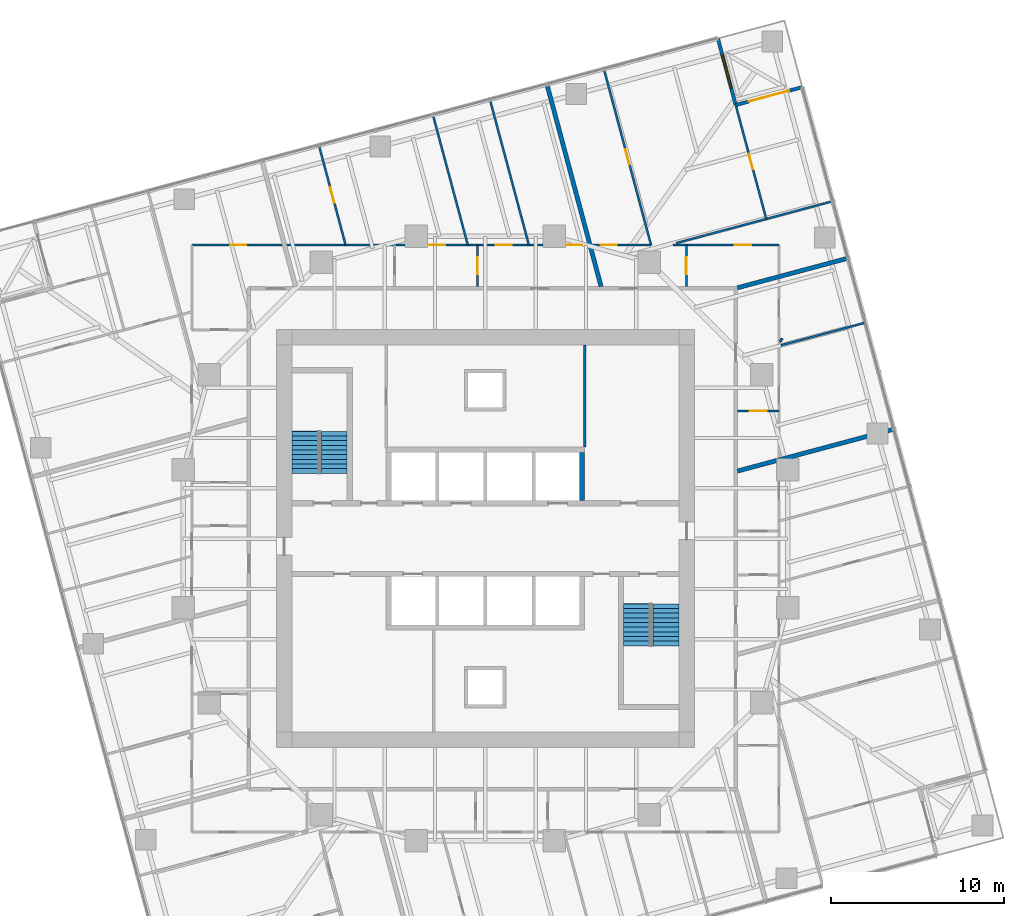
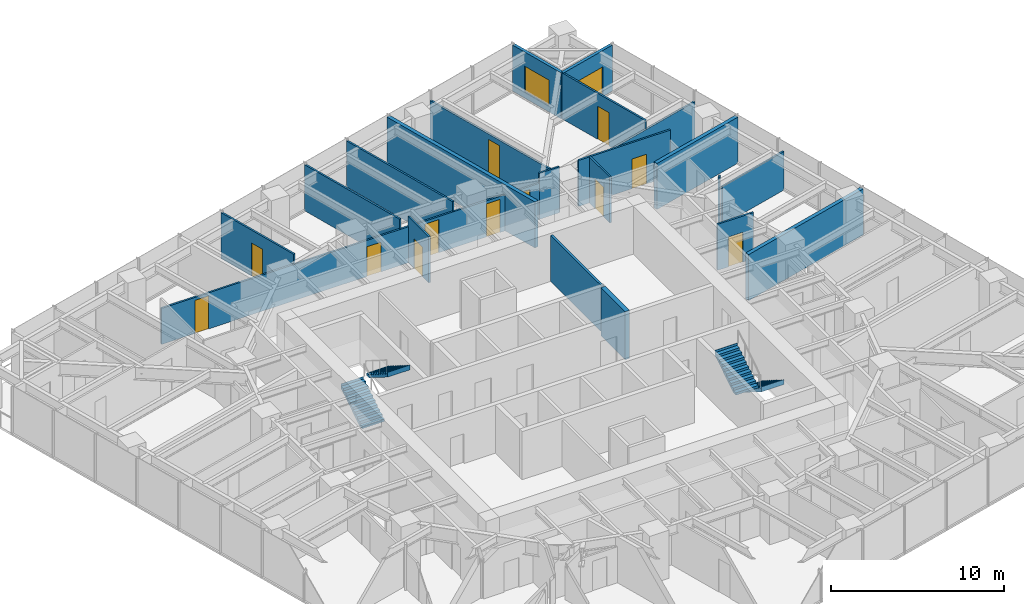
# One storey, part 12 of 13: 21 walls, 13 doors, 4 stair flights, 1 window, 14 openings, 2 elements without a shape of their own.
"""IFC4 building model written with IfcOpenShell, lengths in metres."""

from ifc_helpers import new_model, si_unit, direction, frame, frame_2d, origin, place, context, subcontext, project, spatial, polyline, rectangle, outline, extrude, material, layer, layer_set, type_object, element, fill, aggregate, save


model = new_model("IFC4")

# Units and contexts
model_context = context("Model", 3, precision=1e-05, world=origin(), true_north=direction((0.0, 1.0)))
body_context = subcontext(model_context, "Body", "Model", "MODEL_VIEW")
ifc_project = project(units=[si_unit("LENGTHUNIT", "METRE"), si_unit("AREAUNIT", "SQUARE_METRE"), si_unit("VOLUMEUNIT", "CUBIC_METRE"), si_unit("PLANEANGLEUNIT", "RADIAN"), si_unit("MASSUNIT", "GRAM", prefix="KILO")], contexts=[model_context])

# Site, building, storey
site_placement = place(None, origin())
site = spatial("IfcSite", under=ifc_project, at=site_placement, CompositionType="ELEMENT")
building_placement = place(site_placement, origin())
building = spatial("IfcBuilding", under=site, at=building_placement, Name="Torsade Residences", CompositionType="ELEMENT")
storey_placement = place(building_placement, frame((0.0, 0.0, 118.39990234375)))
storey = spatial("IfcBuildingStorey", under=building, at=storey_placement, Name="L32", CompositionType="ELEMENT", Elevation=118.39990234375)

# Wall
ifc_material_1 = material(Name="Concrete 80 MPa", Category="concrete")
ifc_layer_1 = layer(ifc_material_1, 0.300048828125)
ifc_layer_set_1 = layer_set([ifc_layer_1], Name="Concrete 80 MPa")
wall_type_1 = type_object("IfcWallType", Name="CORE INTERNAL WALL 300", PredefinedType="SHEAR", material=ifc_layer_set_1)
wall_1_placement = place(storey_placement, frame((45.60009765625, 32.199951171875, 0.0), z_axis=(0.0, 0.0, 1.0), x_axis=(0.0, 1.0, 0.0)))
element("IfcWall", 1, at=wall_1_placement, inside=storey, type_object=wall_type_1, Name="Core wall DN4 L32", PredefinedType="SHEAR", context=body_context, shape_type="SweptSolid", body=[
    extrude(rectangle(XDim=2.800048828125, YDim=0.300048828125, at=frame_2d((1.39990234375, 0.0))), origin(), (0.0, 0.0, 1.0), 3.400146484375),
])

# Wall, opening, door
ifc_material_2 = material(Name="Plasterboard on steel stud", Category="steel")
ifc_layer_2 = layer(ifc_material_2, 0.1201171875)
ifc_layer_set_2 = layer_set([ifc_layer_2], Name="Plasterboard on steel stud")
wall_type_2 = type_object("IfcWallType", Name="PARTITION 120", PredefinedType="PARTITIONING", material=ifc_layer_set_2)
wall_2_placement = place(storey_placement, frame((57.0, 37.389892578125, 0.0), z_axis=(0.0, 0.0, 1.0), x_axis=(-1.0, 0.0, 0.0)))
wall_2 = element("IfcWall", 2, at=wall_2_placement, inside=storey, type_object=wall_type_2, Name="Partition L32", PredefinedType="PARTITIONING", context=body_context, shape_type="SweptSolid", body=[
    extrude(rectangle(XDim=2.39990234375, YDim=0.1201171875, at=frame_2d((1.199951171875, 0.0))), origin(), (0.0, 0.0, 1.0), 3.25),
])
opening_1_placement = place(wall_2_placement, frame((0.719970703125, 0.0, 0.0)))
opening_1 = element("IfcOpeningElement", 3, at=opening_1_placement, cuts=wall_2, Name="Opening D05", PredefinedType="OPENING", context=body_context, shape_type="SweptSolid", body=[
    extrude(rectangle(XDim=0.9599609375, YDim=2.10009765625, at=frame_2d((0.47998046875, 1.050048828125))), frame((0.0, 0.070068359375, 0.0), z_axis=(0.0, -1.0, 0.0), x_axis=(1.0, 0.0, 0.0)), (0.0, 0.0, 1.0), 0.14013671875),
])
ifc_material_3 = material(Name="Hollow-core timber door in a steel cavity frame", Category="steel")
door_type_1 = type_object("IfcDoorType", Name="BATHROOM CAVITY SLIDING DOOR 960", OperationType="SLIDING_TO_LEFT", PredefinedType="DOOR", material=ifc_material_3)
door_1_placement = place(opening_1_placement, origin())
door_1 = element("IfcDoor", 4, at=door_1_placement, inside=storey, type_object=door_type_1, Name="Door Kitchen and dining to Bathroom", OperationType="SLIDING_TO_LEFT", OverallHeight=2.10009765625, OverallWidth=0.9599609375, PredefinedType="DOOR", context=body_context, shape_type="SweptSolid", body=[
    extrude(rectangle(XDim=0.9599609375, YDim=2.10009765625, at=frame_2d((0.47998046875, 1.050048828125))), frame((0.0, 0.02490234375, 0.0), z_axis=(0.0, -1.0, 0.0), x_axis=(1.0, 0.0, 0.0)), (0.0, 0.0, 1.0), 0.050048828125),
])
fill(opening_1, door_1)

# Walls
wall_3_placement = place(storey_placement, frame((57.186767578125, 41.57958984375, 0.0), z_axis=(0.0, 0.0, 1.0), x_axis=(-0.609039064162, -0.793140226142, 0.0)))
element("IfcWall", 5, at=wall_3_placement, inside=storey, type_object=wall_type_2, Name="Partition L32", PredefinedType="PARTITIONING", context=body_context, shape_type="SweptSolid", body=[
    extrude(rectangle(XDim=0.2109375, YDim=0.1201171875, at=frame_2d((0.10546875, 0.0))), origin(), (0.0, 0.0, 1.0), 3.25),
])
wall_4_placement = place(storey_placement, frame((57.116455078125, 41.19482421875, 0.0), z_axis=(0.0, 0.0, 1.0), x_axis=(0.965921615375, 0.258834759935, 0.0)))
element("IfcWall", 6, at=wall_4_placement, inside=storey, type_object=wall_type_2, Name="Partition L32", PredefinedType="PARTITIONING", context=body_context, shape_type="SweptSolid", body=[
    extrude(rectangle(XDim=5.029296875, YDim=0.1201171875, at=frame_2d((2.5146484375, 0.0))), origin(), (0.0, 0.0, 1.0), 2.72216796875),
])

# Wall, opening, door
wall_5_placement = place(storey_placement, frame((51.6357421875, 47.0, 0.0), z_axis=(0.0, 0.0, 1.0), x_axis=(0.0, -1.0, 0.0)))
wall_5 = element("IfcWall", 7, at=wall_5_placement, inside=storey, type_object=wall_type_2, Name="Partition L32", PredefinedType="PARTITIONING", context=body_context, shape_type="SweptSolid", body=[
    extrude(rectangle(XDim=2.39990234375, YDim=0.1201171875, at=frame_2d((1.199951171875, 0.0))), origin(), (0.0, 0.0, 1.0), 3.25),
])
opening_2_placement = place(wall_5_placement, frame((0.719970703125, 0.0, 0.0)))
opening_2 = element("IfcOpeningElement", 8, at=opening_2_placement, cuts=wall_5, Name="Opening D05", PredefinedType="OPENING", context=body_context, shape_type="SweptSolid", body=[
    extrude(rectangle(XDim=0.9599609375, YDim=2.10009765625, at=frame_2d((0.47998046875, 1.050048828125))), frame((0.0, 0.070068359375, 0.0), z_axis=(0.0, -1.0, 0.0), x_axis=(1.0, 0.0, 0.0)), (0.0, 0.0, 1.0), 0.14013671875),
])
door_2_placement = place(opening_2_placement, origin())
door_2 = element("IfcDoor", 9, at=door_2_placement, inside=storey, type_object=door_type_1, Name="Door Kitchen and dining to Bathroom", OperationType="SLIDING_TO_LEFT", OverallHeight=2.10009765625, OverallWidth=0.9599609375, PredefinedType="DOOR", context=body_context, shape_type="SweptSolid", body=[
    extrude(rectangle(XDim=0.9599609375, YDim=2.10009765625, at=frame_2d((0.47998046875, 1.050048828125))), frame((0.0, 0.02490234375, 0.0), z_axis=(0.0, -1.0, 0.0), x_axis=(1.0, 0.0, 0.0)), (0.0, 0.0, 1.0), 0.050048828125),
])
fill(opening_2, door_2)

# Wall, openings, doors
wall_6_placement = place(storey_placement, frame((23.0, 47.0, 0.0), z_axis=(0.0, 0.0, 1.0), x_axis=(1.0, 0.0, 0.0)))
wall_6 = element("IfcWall", 10, at=wall_6_placement, inside=storey, type_object=wall_type_2, Name="Partition L32", PredefinedType="PARTITIONING", context=body_context, shape_type="SweptSolid", body=[
    extrude(rectangle(XDim=25.24072265625, YDim=0.1201171875, at=frame_2d((12.620361328125, 0.0))), origin(), (0.0, 0.0, 1.0), 2.550048828125),
])
opening_3_placement = place(wall_6_placement, frame((21.701904296875, 0.0, 0.0)))
opening_3 = element("IfcOpeningElement", 11, at=opening_3_placement, cuts=wall_6, Name="Opening D02", PredefinedType="OPENING", context=body_context, shape_type="SweptSolid", body=[
    extrude(rectangle(XDim=0.919921875, YDim=2.340087890625, at=frame_2d((0.4599609375, 1.169921875))), frame((0.0, 0.070068359375, 0.0), z_axis=(0.0, -1.0, 0.0), x_axis=(1.0, 0.0, 0.0)), (0.0, 0.0, 1.0), 0.14013671875),
])
opening_4_placement = place(wall_6_placement, frame((17.59765625, 0.0, 0.0)))
opening_4 = element("IfcOpeningElement", 12, at=opening_4_placement, cuts=wall_6, Name="Opening D02", PredefinedType="OPENING", context=body_context, shape_type="SweptSolid", body=[
    extrude(rectangle(XDim=0.919921875, YDim=2.340087890625, at=frame_2d((0.4599609375, 1.169921875))), frame((0.0, 0.070068359375, 0.0), z_axis=(0.0, -1.0, 0.0), x_axis=(1.0, 0.0, 0.0)), (0.0, 0.0, 1.0), 0.14013671875),
])
opening_5_placement = place(wall_6_placement, frame((23.688720703125, 0.0, 0.0)))
opening_5 = element("IfcOpeningElement", 13, at=opening_5_placement, cuts=wall_6, Name="Opening D02", PredefinedType="OPENING", context=body_context, shape_type="SweptSolid", body=[
    extrude(rectangle(XDim=0.919921875, YDim=2.340087890625, at=frame_2d((0.4599609375, 1.169921875))), frame((0.0, 0.070068359375, 0.0), z_axis=(0.0, -1.0, 0.0), x_axis=(1.0, 0.0, 0.0)), (0.0, 0.0, 1.0), 0.14013671875),
])
opening_6_placement = place(wall_6_placement, frame((2.225341796875, 0.0, 0.0)))
opening_6 = element("IfcOpeningElement", 14, at=opening_6_placement, cuts=wall_6, Name="Opening D02", PredefinedType="OPENING", context=body_context, shape_type="SweptSolid", body=[
    extrude(rectangle(XDim=0.919921875, YDim=2.340087890625, at=frame_2d((0.4599609375, 1.169921875))), frame((0.0, 0.070068359375, 0.0), z_axis=(0.0, -1.0, 0.0), x_axis=(1.0, 0.0, 0.0)), (0.0, 0.0, 1.0), 0.14013671875),
])
opening_7_placement = place(wall_6_placement, frame((13.709228515625, 0.0, 0.0)))
opening_7 = element("IfcOpeningElement", 15, at=opening_7_placement, cuts=wall_6, Name="Opening D05", PredefinedType="OPENING", context=body_context, shape_type="SweptSolid", body=[
    extrude(rectangle(XDim=0.9599609375, YDim=2.10009765625, at=frame_2d((0.47998046875, 1.050048828125))), frame((0.0, 0.070068359375, 0.0), z_axis=(0.0, -1.0, 0.0), x_axis=(1.0, 0.0, 0.0)), (0.0, 0.0, 1.0), 0.14013671875),
])
door_3_placement = place(opening_7_placement, origin())
door_3 = element("IfcDoor", 16, at=door_3_placement, inside=storey, type_object=door_type_1, Name="Door Ensuite to Living room", OperationType="SLIDING_TO_LEFT", OverallHeight=2.10009765625, OverallWidth=0.9599609375, PredefinedType="DOOR", context=body_context, shape_type="SweptSolid", body=[
    extrude(rectangle(XDim=0.9599609375, YDim=2.10009765625, at=frame_2d((0.47998046875, 1.050048828125))), frame((0.0, 0.02490234375, 0.0), z_axis=(0.0, -1.0, 0.0), x_axis=(1.0, 0.0, 0.0)), (0.0, 0.0, 1.0), 0.050048828125),
])
fill(opening_7, door_3)
ifc_material_4 = material(Name="Hollow-core timber door", Category="wood")
door_type_2 = type_object("IfcDoorType", Name="INTERNAL DOOR 920x2340", OperationType="NOTDEFINED", PredefinedType="DOOR", material=ifc_material_4)
door_4_placement = place(opening_3_placement, origin())
door_4 = element("IfcDoor", 17, at=door_4_placement, inside=storey, type_object=door_type_2, Name="Door Kitchen and dining to Bedroom 1", OperationType="SINGLE_SWING_LEFT", OverallHeight=2.340087890625, OverallWidth=0.919921875, PredefinedType="DOOR", context=body_context, shape_type="SweptSolid", body=[
    extrude(rectangle(XDim=0.919921875, YDim=2.340087890625, at=frame_2d((0.4599609375, 1.169921875))), frame((0.0, 0.02490234375, 0.0), z_axis=(0.0, -1.0, 0.0), x_axis=(1.0, 0.0, 0.0)), (0.0, 0.0, 1.0), 0.050048828125),
])
fill(opening_3, door_4)
door_5_placement = place(opening_4_placement, origin())
door_5 = element("IfcDoor", 18, at=door_5_placement, inside=storey, type_object=door_type_2, Name="Door Kitchen and dining to Bedroom 2", OperationType="SINGLE_SWING_RIGHT", OverallHeight=2.340087890625, OverallWidth=0.919921875, PredefinedType="DOOR", context=body_context, shape_type="SweptSolid", body=[
    extrude(rectangle(XDim=0.919921875, YDim=2.340087890625, at=frame_2d((0.4599609375, 1.169921875))), frame((0.0, 0.02490234375, 0.0), z_axis=(0.0, -1.0, 0.0), x_axis=(1.0, 0.0, 0.0)), (0.0, 0.0, 1.0), 0.050048828125),
])
fill(opening_4, door_5)
door_6_placement = place(opening_5_placement, origin())
door_6 = element("IfcDoor", 19, at=door_6_placement, inside=storey, type_object=door_type_2, Name="Door Kitchen and dining to Bedroom 1", OperationType="SINGLE_SWING_LEFT", OverallHeight=2.340087890625, OverallWidth=0.919921875, PredefinedType="DOOR", context=body_context, shape_type="SweptSolid", body=[
    extrude(rectangle(XDim=0.919921875, YDim=2.340087890625, at=frame_2d((0.4599609375, 1.169921875))), frame((0.0, 0.02490234375, 0.0), z_axis=(0.0, -1.0, 0.0), x_axis=(1.0, 0.0, 0.0)), (0.0, 0.0, 1.0), 0.050048828125),
])
fill(opening_5, door_6)
door_7_placement = place(opening_6_placement, origin())
door_7 = element("IfcDoor", 20, at=door_7_placement, inside=storey, type_object=door_type_2, Name="Door Kitchen and dining to Bedroom 1", OperationType="SINGLE_SWING_RIGHT", OverallHeight=2.340087890625, OverallWidth=0.919921875, PredefinedType="DOOR", context=body_context, shape_type="SweptSolid", body=[
    extrude(rectangle(XDim=0.919921875, YDim=2.340087890625, at=frame_2d((0.4599609375, 1.169921875))), frame((0.0, 0.02490234375, 0.0), z_axis=(0.0, -1.0, 0.0), x_axis=(1.0, 0.0, 0.0)), (0.0, 0.0, 1.0), 0.050048828125),
])
fill(opening_6, door_7)

# Wall, opening, door
wall_7_placement = place(storey_placement, frame((50.852783203125, 47.0, 0.0), z_axis=(0.0, 0.0, 1.0), x_axis=(1.0, 0.0, 0.0)))
wall_7 = element("IfcWall", 21, at=wall_7_placement, inside=storey, type_object=wall_type_2, Name="Partition L32", PredefinedType="PARTITIONING", context=body_context, shape_type="SweptSolid", body=[
    extrude(rectangle(XDim=6.147216796875, YDim=0.1201171875, at=frame_2d((3.07373046875, 0.0))), origin(), (0.0, 0.0, 1.0), 3.25),
])
opening_8_placement = place(wall_7_placement, frame((3.585205078125, 0.0, 0.0)))
opening_8 = element("IfcOpeningElement", 22, at=opening_8_placement, cuts=wall_7, Name="Opening D05", PredefinedType="OPENING", context=body_context, shape_type="SweptSolid", body=[
    extrude(rectangle(XDim=0.9599609375, YDim=2.10009765625, at=frame_2d((0.47998046875, 1.050048828125))), frame((0.0, 0.070068359375, 0.0), z_axis=(0.0, -1.0, 0.0), x_axis=(1.0, 0.0, 0.0)), (0.0, 0.0, 1.0), 0.14013671875),
])
door_8_placement = place(opening_8_placement, origin())
door_8 = element("IfcDoor", 23, at=door_8_placement, inside=storey, type_object=door_type_1, Name="Door Bathroom to Bedroom 3", OperationType="SLIDING_TO_LEFT", OverallHeight=2.10009765625, OverallWidth=0.9599609375, PredefinedType="DOOR", context=body_context, shape_type="SweptSolid", body=[
    extrude(rectangle(XDim=0.9599609375, YDim=2.10009765625, at=frame_2d((0.47998046875, 1.050048828125))), frame((0.0, 0.02490234375, 0.0), z_axis=(0.0, -1.0, 0.0), x_axis=(1.0, 0.0, 0.0)), (0.0, 0.0, 1.0), 0.050048828125),
])
fill(opening_8, door_8)

wall_8_placement = place(storey_placement, frame((49.593505859375, 47.0, 0.0), z_axis=(0.0, 0.0, 1.0), x_axis=(-0.258797552287, 0.965931585015, 0.0)))
wall_8 = element("IfcWall", 24, at=wall_8_placement, inside=storey, type_object=wall_type_2, Name="Partition L32", PredefinedType="PARTITIONING", context=body_context, shape_type="SweptSolid", body=[
    extrude(rectangle(XDim=10.522216796875, YDim=0.1201171875, at=frame_2d((5.26123046875, 0.0))), origin(), (0.0, 0.0, 1.0), 2.72216796875),
])
opening_9_placement = place(wall_8_placement, frame((4.821044921875, 0.0, 0.0)))
opening_9 = element("IfcOpeningElement", 25, at=opening_9_placement, cuts=wall_8, Name="Opening D02", PredefinedType="OPENING", context=body_context, shape_type="SweptSolid", body=[
    extrude(rectangle(XDim=0.919921875, YDim=2.340087890625, at=frame_2d((0.4599609375, 1.169921875))), frame((0.0, 0.070068359375, 0.0), z_axis=(0.0, -1.0, 0.0), x_axis=(1.0, 0.0, 0.0)), (0.0, 0.0, 1.0), 0.14013671875),
])
door_9_placement = place(opening_9_placement, origin())
door_9 = element("IfcDoor", 26, at=door_9_placement, inside=storey, type_object=door_type_2, Name="Door Bedroom 1 to Living room", OperationType="SINGLE_SWING_RIGHT", OverallHeight=2.340087890625, OverallWidth=0.919921875, PredefinedType="DOOR", context=body_context, shape_type="SweptSolid", body=[
    extrude(rectangle(XDim=0.919921875, YDim=2.340087890625, at=frame_2d((0.4599609375, 1.169921875))), frame((0.0, 0.02490234375, 0.0), z_axis=(0.0, -1.0, 0.0), x_axis=(1.0, 0.0, 0.0)), (0.0, 0.0, 1.0), 0.050048828125),
])
fill(opening_9, door_9)

wall_9_placement = place(storey_placement, frame((54.506103515625, 55.068603515625, 0.0), z_axis=(0.0, 0.0, 1.0), x_axis=(0.258830095464, -0.965922865286, 0.0)))
wall_9 = element("IfcWall", 27, at=wall_9_placement, inside=storey, type_object=wall_type_2, Name="Partition L32", PredefinedType="PARTITIONING", context=body_context, shape_type="SweptSolid", body=[
    extrude(rectangle(XDim=6.793212890625, YDim=0.1201171875, at=frame_2d((3.396484375, 0.0))), origin(), (0.0, 0.0, 1.0), 3.25),
])
opening_10_placement = place(wall_9_placement, frame((2.8916015625, 0.0, 0.0)))
opening_10 = element("IfcOpeningElement", 28, at=opening_10_placement, cuts=wall_9, Name="Opening D02", PredefinedType="OPENING", context=body_context, shape_type="SweptSolid", body=[
    extrude(rectangle(XDim=0.919921875, YDim=2.340087890625, at=frame_2d((0.4599609375, 1.169921875))), frame((0.0, 0.070068359375, 0.0), z_axis=(0.0, -1.0, 0.0), x_axis=(1.0, 0.0, 0.0)), (0.0, 0.0, 1.0), 0.14013671875),
])
door_10_placement = place(opening_10_placement, origin())
door_10 = element("IfcDoor", 29, at=door_10_placement, inside=storey, type_object=door_type_2, Name="Door Living room to Bedroom 2", OperationType="SINGLE_SWING_LEFT", OverallHeight=2.340087890625, OverallWidth=0.919921875, PredefinedType="DOOR", context=body_context, shape_type="SweptSolid", body=[
    extrude(rectangle(XDim=0.919921875, YDim=2.340087890625, at=frame_2d((0.4599609375, 1.169921875))), frame((0.0, 0.02490234375, 0.0), z_axis=(0.0, -1.0, 0.0), x_axis=(1.0, 0.0, 0.0)), (0.0, 0.0, 1.0), 0.050048828125),
])
fill(opening_10, door_10)

# Wall
wall_10_placement = place(storey_placement, frame((60.08935546875, 49.53173828125, 0.0), z_axis=(0.0, 0.0, 1.0), x_axis=(-0.965927203676, -0.25881390457, 0.0)))
element("IfcWall", 30, at=wall_10_placement, inside=storey, type_object=wall_type_2, Name="Partition L32", PredefinedType="PARTITIONING", context=body_context, shape_type="SweptSolid", body=[
    extrude(rectangle(XDim=9.356689453125, YDim=0.1201171875, at=frame_2d((4.67822265625, 0.0))), origin(), (0.0, 0.0, 1.0), 2.63818359375),
])

# Wall, opening, door
wall_11_placement = place(storey_placement, frame((39.54443359375, 44.60009765625, 0.0), z_axis=(0.0, 0.0, 1.0), x_axis=(0.0, 1.0, 0.0)))
wall_11 = element("IfcWall", 31, at=wall_11_placement, inside=storey, type_object=wall_type_2, Name="Partition L32", PredefinedType="PARTITIONING", context=body_context, shape_type="SweptSolid", body=[
    extrude(rectangle(XDim=2.39990234375, YDim=0.1201171875, at=frame_2d((1.199951171875, 0.0))), origin(), (0.0, 0.0, 1.0), 3.25),
])
opening_11_placement = place(wall_11_placement, frame((0.719970703125, 0.0, 0.0)))
opening_11 = element("IfcOpeningElement", 32, at=opening_11_placement, cuts=wall_11, Name="Opening D05", PredefinedType="OPENING", context=body_context, shape_type="SweptSolid", body=[
    extrude(rectangle(XDim=0.9599609375, YDim=2.10009765625, at=frame_2d((0.47998046875, 1.050048828125))), frame((0.0, 0.070068359375, 0.0), z_axis=(0.0, -1.0, 0.0), x_axis=(1.0, 0.0, 0.0)), (0.0, 0.0, 1.0), 0.14013671875),
])
door_11_placement = place(opening_11_placement, origin())
door_11 = element("IfcDoor", 33, at=door_11_placement, inside=storey, type_object=door_type_1, Name="Door Kitchen and dining to Ensuite", OperationType="SLIDING_TO_LEFT", OverallHeight=2.10009765625, OverallWidth=0.9599609375, PredefinedType="DOOR", context=body_context, shape_type="SweptSolid", body=[
    extrude(rectangle(XDim=0.9599609375, YDim=2.10009765625, at=frame_2d((0.47998046875, 1.050048828125))), frame((0.0, 0.02490234375, 0.0), z_axis=(0.0, -1.0, 0.0), x_axis=(1.0, 0.0, 0.0)), (0.0, 0.0, 1.0), 0.050048828125),
])
fill(opening_11, door_11)

# Wall
wall_12_placement = place(storey_placement, frame((36.969482421875, 54.5107421875, 0.0), z_axis=(0.0, 0.0, 1.0), x_axis=(0.258813509689, -0.965927309482, 0.0)))
element("IfcWall", 34, at=wall_12_placement, inside=storey, type_object=wall_type_2, Name="Partition L32", PredefinedType="PARTITIONING", context=body_context, shape_type="SweptSolid", body=[
    extrude(rectangle(XDim=7.775634765625, YDim=0.1201171875, at=frame_2d((3.8876953125, 0.0))), origin(), (0.0, 0.0, 1.0), 3.25),
])

# Wall, opening, door
wall_13_placement = place(storey_placement, frame((31.90771484375, 47.0, 0.0), z_axis=(0.0, 0.0, 1.0), x_axis=(-0.258812722515, 0.965927520399, 0.0)))
wall_13 = element("IfcWall", 35, at=wall_13_placement, inside=storey, type_object=wall_type_2, Name="Partition L32", PredefinedType="PARTITIONING", context=body_context, shape_type="SweptSolid", body=[
    extrude(rectangle(XDim=5.94482421875, YDim=0.1201171875, at=frame_2d((2.972412109375, 0.0))), origin(), (0.0, 0.0, 1.0), 3.25),
])
opening_12_placement = place(wall_13_placement, frame((2.532470703125, 0.0, 0.0)))
opening_12 = element("IfcOpeningElement", 36, at=opening_12_placement, cuts=wall_13, Name="Opening D02", PredefinedType="OPENING", context=body_context, shape_type="SweptSolid", body=[
    extrude(rectangle(XDim=0.919921875, YDim=2.340087890625, at=frame_2d((0.4599609375, 1.169921875))), frame((0.0, 0.070068359375, 0.0), z_axis=(0.0, -1.0, 0.0), x_axis=(1.0, 0.0, 0.0)), (0.0, 0.0, 1.0), 0.14013671875),
])
door_12_placement = place(opening_12_placement, origin())
door_12 = element("IfcDoor", 37, at=door_12_placement, inside=storey, type_object=door_type_2, Name="Door Living room to Bedroom 3", OperationType="SINGLE_SWING_LEFT", OverallHeight=2.340087890625, OverallWidth=0.919921875, PredefinedType="DOOR", context=body_context, shape_type="SweptSolid", body=[
    extrude(rectangle(XDim=0.919921875, YDim=2.340087890625, at=frame_2d((0.4599609375, 1.169921875))), frame((0.0, 0.02490234375, 0.0), z_axis=(0.0, -1.0, 0.0), x_axis=(1.0, 0.0, 0.0)), (0.0, 0.0, 1.0), 0.050048828125),
])
fill(opening_12, door_12)

# Walls
wall_14_placement = place(storey_placement, frame((42.519287109375, 47.0, 0.0), z_axis=(0.0, 0.0, 1.0), x_axis=(-0.258819860698, 0.965925607751, 0.0)))
element("IfcWall", 38, at=wall_14_placement, inside=storey, type_object=wall_type_2, Name="Partition L32", PredefinedType="PARTITIONING", context=body_context, shape_type="SweptSolid", body=[
    extrude(rectangle(XDim=8.69140625, YDim=0.1201171875, at=frame_2d((4.345703125, 0.0))), origin(), (0.0, 0.0, 1.0), 3.25),
])
wall_15_placement = place(storey_placement, frame((48.24072265625, 47.0, 0.0), z_axis=(0.0, 0.0, 1.0), x_axis=(1.0, 0.0, 0.0)))
element("IfcWall", 39, at=wall_15_placement, inside=storey, type_object=wall_type_2, Name="Partition L32", PredefinedType="PARTITIONING", context=body_context, shape_type="SweptSolid", body=[
    extrude(rectangle(XDim=1.352783203125, YDim=0.1201171875, at=frame_2d((0.67626953125, 0.0))), origin(), (0.0, 0.0, 1.0), 3.25),
])
ifc_material_5 = material(Name="Masonry-lined stud party wall", Category="masonry")
ifc_layer_3 = layer(ifc_material_5, 0.25)
ifc_layer_set_3 = layer_set([ifc_layer_3], Name="Masonry-lined stud party wall")
wall_type_3 = type_object("IfcWallType", Name="PARTY WALL 250", PredefinedType="PARTITIONING", material=ifc_layer_set_3)
wall_16_placement = place(storey_placement, frame((63.665283203125, 36.341064453125, 0.0), z_axis=(0.0, 0.0, 1.0), x_axis=(-0.965927049013, -0.258814481793, 0.0)))
element("IfcWall", 40, at=wall_16_placement, inside=storey, type_object=wall_type_3, Name="Party wall L32", PredefinedType="PARTITIONING", context=body_context, shape_type="SweptSolid", body=[
    extrude(rectangle(XDim=9.3916015625, YDim=0.25, at=frame_2d((4.69580078125, 0.0))), origin(), (0.0, 0.0, 1.0), 3.25),
])
wall_17_placement = place(storey_placement, frame((43.5595703125, 56.318115234375, 0.0), z_axis=(0.0, 0.0, 1.0), x_axis=(0.258824223352, -0.965924438766, 0.0)))
element("IfcWall", 41, at=wall_17_placement, inside=storey, type_object=wall_type_3, Name="Party wall L32", PredefinedType="PARTITIONING", context=body_context, shape_type="SweptSolid", body=[
    extrude(rectangle(XDim=12.137939453125, YDim=0.25, at=frame_2d((6.06884765625, 0.0))), origin(), (0.0, 0.0, 1.0), 3.25),
])
wall_18_placement = place(storey_placement, frame((61.01220703125, 46.24169921875, 0.0), z_axis=(0.0, 0.0, 1.0), x_axis=(-0.965929355837, -0.25880587229, 0.0)))
element("IfcWall", 42, at=wall_18_placement, inside=storey, type_object=wall_type_3, Name="Party wall L32", PredefinedType="PARTITIONING", context=body_context, shape_type="SweptSolid", body=[
    extrude(rectangle(XDim=6.644775390625, YDim=0.25, at=frame_2d((3.322265625, 0.0))), origin(), (0.0, 0.0, 1.0), 3.25),
])
ifc_material_6 = material(Name="Reinforced blockwork", Category="masonry")
ifc_layer_4 = layer(ifc_material_6, 0.14990234375)
ifc_layer_set_4 = layer_set([ifc_layer_4], Name="Reinforced blockwork")
wall_type_4 = type_object("IfcWallType", Name="SERVICE ROOM WALL 150", PredefinedType="SOLIDWALL", material=ifc_layer_set_4)
wall_19_placement = place(storey_placement, frame((45.75, 41.199951171875, 0.0), z_axis=(0.0, 0.0, 1.0), x_axis=(0.0, -1.0, 0.0)))
element("IfcWall", 43, at=wall_19_placement, inside=storey, type_object=wall_type_4, Name="Service room wall L32", PredefinedType="SOLIDWALL", context=body_context, shape_type="SweptSolid", body=[
    extrude(rectangle(XDim=5.89990234375, YDim=0.14990234375, at=frame_2d((2.949951171875, 0.0))), origin(), (0.0, 0.0, 1.0), 3.25),
])

# Wall, opening, door
ifc_material_7 = material(Name="Stone-faced precast concrete 40 MPa panel", Category="masonry")
ifc_layer_5 = layer(ifc_material_7, 0.199951171875)
ifc_layer_set_5 = layer_set([ifc_layer_5], Name="Stone-faced precast concrete 40 MPa panel")
wall_type_5 = type_object("IfcWallType", Name="TERRACE WALL 200", PredefinedType="SOLIDWALL", material=ifc_layer_set_5)
wall_20_placement = place(storey_placement, frame((58.359375, 56.142578125, 0.0), z_axis=(0.0, 0.0, 1.0), x_axis=(-0.965919172068, -0.258843877716, 0.0)))
wall_20 = element("IfcWall", 44, at=wall_20_placement, inside=storey, type_object=wall_type_5, Name="Terrace wall L32 5", PredefinedType="SOLIDWALL", context=body_context, shape_type="SweptSolid", body=[
    extrude(rectangle(XDim=4.0, YDim=0.199951171875, at=frame_2d((2.0, 0.0))), origin(), (0.0, 0.0, 1.0), 3.25),
])
opening_13_placement = place(wall_20_placement, frame((0.800048828125, 0.0, 0.0)))
opening_13 = element("IfcOpeningElement", 45, at=opening_13_placement, cuts=wall_20, Name="Opening D10A", PredefinedType="OPENING", context=body_context, shape_type="SweptSolid", body=[
    extrude(rectangle(XDim=2.39990234375, YDim=2.10009765625, at=frame_2d((1.199951171875, 1.050048828125))), frame((0.0, 0.10986328125, 0.0), z_axis=(0.0, -1.0, 0.0), x_axis=(1.0, 0.0, 0.0)), (0.0, 0.0, 1.0), 0.219970703125),
])
ifc_material_8 = material(Name="Aluminium-framed glass door", Category="aluminium")
door_type_3 = type_object("IfcDoorType", Name="TERRACE SLIDING DOOR 2400x2100", OperationType="SLIDING_TO_LEFT", PredefinedType="DOOR", material=ifc_material_8)
door_13_placement = place(opening_13_placement, origin())
door_13 = element("IfcDoor", 46, at=door_13_placement, inside=storey, type_object=door_type_3, Name="Terrace door L32 5", OperationType="SLIDING_TO_LEFT", OverallHeight=2.10009765625, OverallWidth=2.39990234375, PredefinedType="DOOR", context=body_context, shape_type="SweptSolid", body=[
    extrude(rectangle(XDim=2.39990234375, YDim=2.10009765625, at=frame_2d((1.199951171875, 1.050048828125))), frame((0.0, 0.02490234375, 0.0), z_axis=(0.0, -1.0, 0.0), x_axis=(1.0, 0.0, 0.0)), (0.0, 0.0, 1.0), 0.050048828125),
])
fill(opening_13, door_13)

# Wall, opening, window
wall_21_placement = place(storey_placement, frame((54.49560546875, 55.107177734375, 0.0), z_axis=(0.0, 0.0, 1.0), x_axis=(-0.258786931944, 0.965934430412, 0.0)))
wall_21 = element("IfcWall", 47, at=wall_21_placement, inside=storey, type_object=wall_type_5, Name="Terrace wall L32 6", PredefinedType="SOLIDWALL", context=body_context, shape_type="SweptSolid", body=[
    extrude(rectangle(XDim=4.0, YDim=0.199951171875, at=frame_2d((2.0, 0.0))), origin(), (0.0, 0.0, 1.0), 3.25),
])
opening_14_placement = place(wall_21_placement, frame((1.0, 0.0, 0.449951171875)))
opening_14 = element("IfcOpeningElement", 48, at=opening_14_placement, cuts=wall_21, Name="Opening W1B", PredefinedType="OPENING", context=body_context, shape_type="SweptSolid", body=[
    extrude(rectangle(XDim=2.0, YDim=1.800048828125, at=frame_2d((1.0, 0.89990234375))), frame((0.0, 0.10986328125, 0.0), z_axis=(0.0, -1.0, 0.0), x_axis=(1.0, 0.0, 0.0)), (0.0, 0.0, 1.0), 0.219970703125),
])
ifc_material_9 = material(Name="Aluminium-framed glass window", Category="aluminium")
window_type = type_object("IfcWindowType", Name="TERRACE WINDOW 2000x1800", PartitioningType="SINGLE_PANEL", PredefinedType="WINDOW", material=ifc_material_9)
window_placement = place(opening_14_placement, origin())
window = element("IfcWindow", 49, at=window_placement, inside=storey, type_object=window_type, Name="Terrace window L32 6", OverallHeight=1.800048828125, OverallWidth=2.0, PartitioningType="SINGLE_PANEL", PredefinedType="WINDOW", context=body_context, shape_type="SweptSolid", body=[
    extrude(rectangle(XDim=2.0, YDim=1.800048828125, at=frame_2d((1.0, 0.89990234375))), frame((0.0, 0.030029296875, 0.0), z_axis=(0.0, -1.0, 0.0), x_axis=(1.0, 0.0, 0.0)), (0.0, 0.0, 1.0), 0.06005859375),
])
fill(opening_14, window)

# Stair, stair flights
ifc_material_10 = material(Name="Precast concrete 40 MPa", Category="concrete")
stair_type = type_object("IfcStairType", Name="HALF-TURN FIRE STAIR 1500x3400", PredefinedType="HALF_TURN_STAIR", material=ifc_material_10)
stair_1_placement = place(storey_placement, origin())
stair_1 = element("IfcStair", 50, at=stair_1_placement, inside=storey, type_object=stair_type, Name="Stair ST1 L32", PredefinedType="HALF_TURN_STAIR")
ifc_material_11 = material(Name="Precast concrete 40 MPa", Category="concrete")
stair_flight_type = type_object("IfcStairFlightType", Name="PRECAST STAIR FLIGHT 1500x1700", PredefinedType="STRAIGHT", material=ifc_material_11)
stair_flight_1_placement = place(storey_placement, frame((29.550048828125, 33.780029296875, 0.0), z_axis=(0.0, 0.0, 1.0), x_axis=(0.0, 1.0, 0.0)))
stair_flight_1 = element("IfcStairFlight", 51, at=stair_flight_1_placement, type_object=stair_flight_type, Name="ST1 flight 1", NumberOfRisers=10, NumberOfTreads=9, PredefinedType="STRAIGHT", RiserHeight=0.17, TreadLength=0.27, context=body_context, shape_type="SweptSolid", body=[
    extrude(outline(polyline([(0.0, 0.0), (0.0, 0.169921875), (0.27001953125, 0.169921875), (0.27001953125, 0.340087890625), (0.5400390625, 0.340087890625), (0.5400390625, 0.510009765625), (0.81005859375, 0.510009765625), (0.81005859375, 0.679931640625), (1.080078125, 0.679931640625), (1.080078125, 0.85009765625), (1.35009765625, 0.85009765625), (1.35009765625, 1.02001953125), (1.6201171875, 1.02001953125), (1.6201171875, 1.18994140625), (1.889892578125, 1.18994140625), (1.889892578125, 1.360107421875), (2.159912109375, 1.360107421875), (2.159912109375, 1.530029296875), (2.429931640625, 1.530029296875), (2.429931640625, 1.699951171875), (2.43994140625, 1.699951171875), (2.43994140625, 1.352783203125), (2.429931640625, 1.352783203125), (0.28125, 0.0), (0.0, 0.0)])), frame((0.0, 0.75, 0.0), z_axis=(0.0, -1.0, 0.0), x_axis=(1.0, 0.0, 0.0)), (0.0, 0.0, 1.0), 1.5),
])
stair_flight_2_placement = place(storey_placement, frame((31.25, 36.2099609375, 1.7001953125), z_axis=(0.0, 0.0, 1.0), x_axis=(0.0, -1.0, 0.0)))
stair_flight_2 = element("IfcStairFlight", 52, at=stair_flight_2_placement, type_object=stair_flight_type, Name="ST1 flight 2", NumberOfRisers=10, NumberOfTreads=9, PredefinedType="STRAIGHT", RiserHeight=0.17, TreadLength=0.27, context=body_context, shape_type="SweptSolid", body=[
    extrude(outline(polyline([(0.0, 0.0), (0.0, 0.169921875), (0.27001953125, 0.169921875), (0.27001953125, 0.340087890625), (0.5400390625, 0.340087890625), (0.5400390625, 0.510009765625), (0.81005859375, 0.510009765625), (0.81005859375, 0.679931640625), (1.080078125, 0.679931640625), (1.080078125, 0.85009765625), (1.35009765625, 0.85009765625), (1.35009765625, 1.02001953125), (1.6201171875, 1.02001953125), (1.6201171875, 1.18994140625), (1.889892578125, 1.18994140625), (1.889892578125, 1.360107421875), (2.159912109375, 1.360107421875), (2.159912109375, 1.530029296875), (2.429931640625, 1.530029296875), (2.429931640625, 1.699951171875), (2.43994140625, 1.699951171875), (2.43994140625, 1.352783203125), (2.429931640625, 1.352783203125), (0.28125, 0.0), (0.0, 0.0)])), frame((0.0, 0.75, 0.0), z_axis=(0.0, -1.0, 0.0), x_axis=(1.0, 0.0, 0.0)), (0.0, 0.0, 1.0), 1.5),
])
aggregate(stair_1, [stair_flight_1, stair_flight_2])

stair_2_placement = place(storey_placement, origin())
stair_2 = element("IfcStair", 53, at=stair_2_placement, inside=storey, type_object=stair_type, Name="Stair ST2 L32", PredefinedType="HALF_TURN_STAIR")
stair_flight_3_placement = place(storey_placement, frame((50.449951171875, 26.219970703125, 0.0), z_axis=(0.0, 0.0, 1.0), x_axis=(0.0, -1.0, 0.0)))
stair_flight_3 = element("IfcStairFlight", 54, at=stair_flight_3_placement, type_object=stair_flight_type, Name="ST2 flight 1", NumberOfRisers=10, NumberOfTreads=9, PredefinedType="STRAIGHT", RiserHeight=0.17, TreadLength=0.27, context=body_context, shape_type="SweptSolid", body=[
    extrude(outline(polyline([(0.0, 0.0), (0.0, 0.169921875), (0.27001953125, 0.169921875), (0.27001953125, 0.340087890625), (0.5400390625, 0.340087890625), (0.5400390625, 0.510009765625), (0.81005859375, 0.510009765625), (0.81005859375, 0.679931640625), (1.080078125, 0.679931640625), (1.080078125, 0.85009765625), (1.35009765625, 0.85009765625), (1.35009765625, 1.02001953125), (1.6201171875, 1.02001953125), (1.6201171875, 1.18994140625), (1.889892578125, 1.18994140625), (1.889892578125, 1.360107421875), (2.159912109375, 1.360107421875), (2.159912109375, 1.530029296875), (2.429931640625, 1.530029296875), (2.429931640625, 1.699951171875), (2.43994140625, 1.699951171875), (2.43994140625, 1.352783203125), (2.429931640625, 1.352783203125), (0.28125, 0.0), (0.0, 0.0)])), frame((0.0, 0.75, 0.0), z_axis=(0.0, -1.0, 0.0), x_axis=(1.0, 0.0, 0.0)), (0.0, 0.0, 1.0), 1.5),
])
stair_flight_4_placement = place(storey_placement, frame((48.75, 23.7900390625, 1.7001953125), z_axis=(0.0, 0.0, 1.0), x_axis=(0.0, 1.0, 0.0)))
stair_flight_4 = element("IfcStairFlight", 55, at=stair_flight_4_placement, type_object=stair_flight_type, Name="ST2 flight 2", NumberOfRisers=10, NumberOfTreads=9, PredefinedType="STRAIGHT", RiserHeight=0.17, TreadLength=0.27, context=body_context, shape_type="SweptSolid", body=[
    extrude(outline(polyline([(0.0, 0.0), (0.0, 0.169921875), (0.27001953125, 0.169921875), (0.27001953125, 0.340087890625), (0.5400390625, 0.340087890625), (0.5400390625, 0.510009765625), (0.81005859375, 0.510009765625), (0.81005859375, 0.679931640625), (1.080078125, 0.679931640625), (1.080078125, 0.85009765625), (1.35009765625, 0.85009765625), (1.35009765625, 1.02001953125), (1.6201171875, 1.02001953125), (1.6201171875, 1.18994140625), (1.889892578125, 1.18994140625), (1.889892578125, 1.360107421875), (2.159912109375, 1.360107421875), (2.159912109375, 1.530029296875), (2.429931640625, 1.530029296875), (2.429931640625, 1.699951171875), (2.43994140625, 1.699951171875), (2.43994140625, 1.352783203125), (2.429931640625, 1.352783203125), (0.28125, 0.0), (0.0, 0.0)])), frame((0.0, 0.75, 0.0), z_axis=(0.0, -1.0, 0.0), x_axis=(1.0, 0.0, 0.0)), (0.0, 0.0, 1.0), 1.5),
])
aggregate(stair_2, [stair_flight_3, stair_flight_4])

save(model, "model.ifc")
